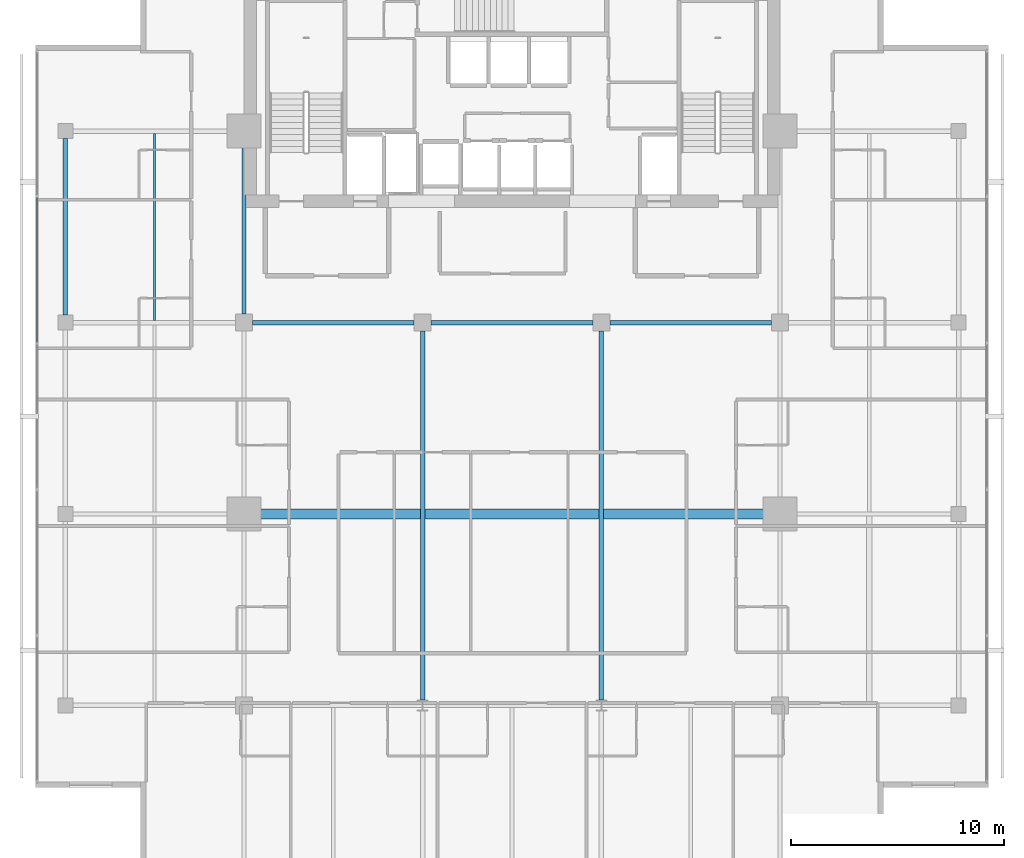
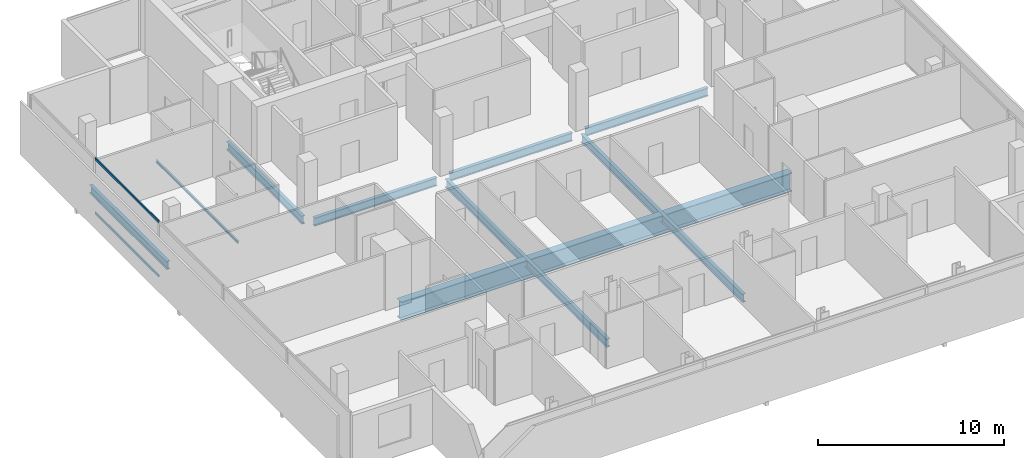
# One storey, part 9 of 25: 9 beams, 2 members, 1 element without a shape of its own.
"""IFC4 building model written with IfcOpenShell, lengths in metres."""

from ifc_helpers import new_model, si_unit, direction, frame, origin, origin_2d, place, context, subcontext, project, spatial, hollow_rectangle, i_section, extrude, material, layer, layer_set, material_profile, profile_set, type_object, element, aggregate, save


model = new_model("IFC4")

# Units and contexts
model_context = context("Model", 3, precision=1e-05, world=origin(), true_north=direction((0.0, 1.0)))
body_context = subcontext(model_context, "Body", "Model", "MODEL_VIEW")
ifc_project = project(units=[si_unit("LENGTHUNIT", "METRE"), si_unit("AREAUNIT", "SQUARE_METRE"), si_unit("VOLUMEUNIT", "CUBIC_METRE"), si_unit("PLANEANGLEUNIT", "RADIAN"), si_unit("MASSUNIT", "GRAM", prefix="KILO")], contexts=[model_context])

# Site, building, storey
site_placement = place(None, origin())
site = spatial("IfcSite", under=ifc_project, at=site_placement, CompositionType="ELEMENT")
building_placement = place(site_placement, origin())
building = spatial("IfcBuilding", under=site, at=building_placement, Name="Maruvema Waterfront Hotel and Observation Tower", CompositionType="ELEMENT")
storey_placement = place(building_placement, frame((0.0, 0.0, 270.199951171875)))
storey = spatial("IfcBuildingStorey", under=building, at=storey_placement, Name="L66", CompositionType="ELEMENT", Elevation=270.199951171875)

# Curtain wall, members
ifc_material_1 = material(Name="Anodised bronze aluminium and solar-control low-E IGU", Category="aluminium")
ifc_layer = layer(ifc_material_1, 0.159912109375, Name="Zone 3 Champagne Inner Thermal Curtain Wall System CW-04")
ifc_layer_set = layer_set([ifc_layer], Name="Anodised bronze aluminium and solar-control low-E IGU")
curtain_wall_type = type_object("IfcCurtainWallType", Name="Zone 3 Champagne Inner Thermal Curtain Wall System CW-04", PredefinedType="USERDEFINED", material=ifc_layer_set)
curtain_wall_placement = place(storey_placement, origin())
curtain_wall = element("IfcCurtainWall", 1, at=curtain_wall_placement, inside=storey, type_object=curtain_wall_type, Name="L66 Curtain Wall CW-L66-W", ObjectType="UNITISED CURTAIN WALL", PredefinedType="USERDEFINED")
ifc_material_2 = material(Name="Anodised architectural bronze aluminium", Category="aluminium")
ifc_material_profile_1 = material_profile(ifc_material_2, hollow_rectangle(XDim=0.070068359375, YDim=0.14990234375, WallThickness=0.00390625, at=origin_2d()), Name="ALU-T70x150")
ifc_profile_set_1 = profile_set([ifc_material_profile_1], Name="Anodised architectural bronze aluminium")
member_type = type_object("IfcMemberType", Name="Curtain Wall Horizontal Transom ALU-T70x150", PredefinedType="USERDEFINED", material=ifc_profile_set_1)
member_1_placement = place(storey_placement, frame((15.47998046875, 41.889892578125, 0.030029296875), z_axis=(0.0, -1.0, 0.0), x_axis=(1.0, 0.0, 0.0)))
member_1 = element("IfcMember", 2, at=member_1_placement, type_object=member_type, Name="CW-04 transom 2.1", ObjectType="TRANSOM", PredefinedType="USERDEFINED", context=body_context, shape_type="SweptSolid", body=[
    extrude(hollow_rectangle(XDim=0.070068359375, YDim=0.14990234375, WallThickness=0.00390625, at=origin_2d()), origin(), (0.0, 0.0, 1.0), 6.81982421875),
])
member_2_placement = place(storey_placement, frame((15.47998046875, 41.889892578125, 3.580078125), z_axis=(0.0, -1.0, 0.0), x_axis=(1.0, 0.0, 0.0)))
member_2 = element("IfcMember", 3, at=member_2_placement, type_object=member_type, Name="CW-04 transom 2.2", ObjectType="TRANSOM", PredefinedType="USERDEFINED", context=body_context, shape_type="SweptSolid", body=[
    extrude(hollow_rectangle(XDim=0.070068359375, YDim=0.14990234375, WallThickness=0.00390625, at=origin_2d()), origin(), (0.0, 0.0, 1.0), 6.81982421875),
])
aggregate(curtain_wall, [member_1, member_2])

# Beams
ifc_material_3 = material(Name="Steel ASTM A572 Grade 50", Category="steel")
ifc_material_profile_2 = material_profile(ifc_material_3, i_section(OverallWidth=0.208984375, OverallDepth=0.532958984375, WebThickness=0.01025390625, FlangeThickness=0.015625, FilletRadius=0.014892578125, at=origin_2d()), Name="W530x92.0")
ifc_profile_set_2 = profile_set([ifc_material_profile_2], Name="Steel ASTM A572 Grade 50")
beam_type_1 = type_object("IfcBeamType", Name="Primary Floor Girder W530x92.0", PredefinedType="BEAM", material=ifc_profile_set_2)
beam_1_placement = place(storey_placement, frame((25.60009765625, 36.0, -0.50634765625), z_axis=(1.0, 0.0, 0.0), x_axis=(0.0, 1.0, 0.0)))
element("IfcBeam", 4, at=beam_1_placement, inside=storey, type_object=beam_type_1, Name="L66 Floor Girder EW-13", PredefinedType="BEAM", context=body_context, shape_type="SweptSolid", body=[
    extrude(i_section(OverallWidth=0.208984375, OverallDepth=0.532958984375, WebThickness=0.01025390625, FlangeThickness=0.015625, FilletRadius=0.014892578125, at=origin_2d()), origin(), (0.0, 0.0, 1.0), 7.599853515625),
])
for number, where, z_axis, x_axis, name in (
    (5, (34.0, 36.0, -0.50634765625), (1.0, 0.0, 0.0), (0.0, 1.0, 0.0), "L66 Floor Girder EW-14"),
    (6, (42.39990234375, 36.0, -0.50634765625), (1.0, 0.0, 0.0), (0.0, 1.0, 0.0), "L66 Floor Girder EW-15"),
):
    element("IfcBeam", number, at=place(storey_placement, frame(where, z_axis=z_axis, x_axis=x_axis)), inside=storey, type_object=beam_type_1, Name=name, PredefinedType="BEAM", context=body_context, shape_type="SweptSolid", body=[
        extrude(i_section(OverallWidth=0.208984375, OverallDepth=0.532958984375, WebThickness=0.01025390625, FlangeThickness=0.015625, FilletRadius=0.014892578125, at=origin_2d()), origin(), (0.0, 0.0, 1.0), 7.60009765625),
    ])
beam_2_placement = place(storey_placement, frame((16.800048828125, 36.35009765625, -0.50634765625), z_axis=(0.0, 1.0, 0.0), x_axis=(-1.0, 0.0, 0.0)))
element("IfcBeam", 7, at=beam_2_placement, inside=storey, type_object=beam_type_1, Name="L66 Floor Girder NS-03", PredefinedType="BEAM", context=body_context, shape_type="SweptSolid", body=[
    extrude(i_section(OverallWidth=0.208984375, OverallDepth=0.532958984375, WebThickness=0.01025390625, FlangeThickness=0.015625, FilletRadius=0.014892578125, at=origin_2d()), origin(), (0.0, 0.0, 1.0), 8.2998046875),
])
beam_3_placement = place(storey_placement, frame((25.199951171875, 36.39990234375, -0.50634765625), z_axis=(0.0, 1.0, 0.0), x_axis=(-1.0, 0.0, 0.0)))
element("IfcBeam", 8, at=beam_3_placement, inside=storey, type_object=beam_type_1, Name="L66 Floor Girder NS-07", PredefinedType="BEAM", context=body_context, shape_type="SweptSolid", body=[
    extrude(i_section(OverallWidth=0.208984375, OverallDepth=0.532958984375, WebThickness=0.01025390625, FlangeThickness=0.015625, FilletRadius=0.014892578125, at=origin_2d()), origin(), (0.0, 0.0, 1.0), 8.10009765625),
])
for number, where, z_axis, x_axis, name in (
    (9, (33.60009765625, 18.25, -0.50634765625), (0.0, 1.0, 0.0), (-1.0, 0.0, 0.0), "L66 Floor Girder NS-09"),
    (10, (42.0, 18.25, -0.50634765625), (0.0, 1.0, 0.0), (-1.0, 0.0, 0.0), "L66 Floor Girder NS-11"),
):
    element("IfcBeam", number, at=place(storey_placement, frame(where, z_axis=z_axis, x_axis=x_axis)), inside=storey, type_object=beam_type_1, Name=name, PredefinedType="BEAM", context=body_context, shape_type="SweptSolid", body=[
        extrude(i_section(OverallWidth=0.208984375, OverallDepth=0.532958984375, WebThickness=0.01025390625, FlangeThickness=0.015625, FilletRadius=0.014892578125, at=origin_2d()), origin(), (0.0, 0.0, 1.0), 17.35009765625),
    ])
ifc_material_4 = material(Name="Steel ASTM A572 Grade 50", Category="steel")
ifc_material_profile_3 = material_profile(ifc_material_4, i_section(OverallWidth=0.10009765625, OverallDepth=0.153076171875, WebThickness=0.005859375, FlangeThickness=0.007080078125, FilletRadius=0.008056640625, at=origin_2d()), Name="W150x18.0")
ifc_profile_set_3 = profile_set([ifc_material_profile_3], Name="Steel ASTM A572 Grade 50")
beam_type_2 = type_object("IfcBeamType", Name="Secondary Floor Joist W150x18.0", PredefinedType="JOIST", material=ifc_profile_set_3)
beam_4_placement = place(storey_placement, frame((21.0, 36.1044921875, -0.31640625), z_axis=(0.0, 1.0, 0.0), x_axis=(-1.0, 0.0, 0.0)))
element("IfcBeam", 11, at=beam_4_placement, inside=storey, type_object=beam_type_2, Name="L66 Secondary Floor Joist JS-03", PredefinedType="JOIST", context=body_context, shape_type="SweptSolid", body=[
    extrude(i_section(OverallWidth=0.10009765625, OverallDepth=0.153076171875, WebThickness=0.005859375, FlangeThickness=0.007080078125, FilletRadius=0.008056640625, at=origin_2d()), origin(), (0.0, 0.0, 1.0), 8.791015625),
])
ifc_material_5 = material(Name="Steel ABNT NBR 7007 AR 415 (ASTM A572 Grade 50)", Category="steel")
ifc_material_profile_4 = material_profile(ifc_material_5, i_section(OverallWidth=0.449951171875, OverallDepth=1.199951171875, WebThickness=0.01904296875, FlangeThickness=0.031982421875, at=origin_2d()), Name="VS1200x366")
ifc_profile_set_4 = profile_set([ifc_material_profile_4], Name="Steel ABNT NBR 7007 AR 415 (ASTM A572 Grade 50)")
beam_type_3 = type_object("IfcBeamType", Name="Upper Setback Transfer Girder VS1200x366", PredefinedType="USERDEFINED", material=ifc_profile_set_4)
beam_5_placement = place(storey_placement, frame((25.699951171875, 27.0, -0.83984375), z_axis=(1.0, 0.0, 0.0), x_axis=(0.0, 1.0, 0.0)))
element("IfcBeam", 12, at=beam_5_placement, inside=storey, type_object=beam_type_3, Name="L66 Floor Girder EW-10", ObjectType="TRANSFER GIRDER", PredefinedType="USERDEFINED", context=body_context, shape_type="SweptSolid", body=[
    extrude(i_section(OverallWidth=0.449951171875, OverallDepth=1.199951171875, WebThickness=0.01904296875, FlangeThickness=0.031982421875, at=origin_2d()), origin(), (0.0, 0.0, 1.0), 24.199951171875),
])

save(model, "model.ifc")
